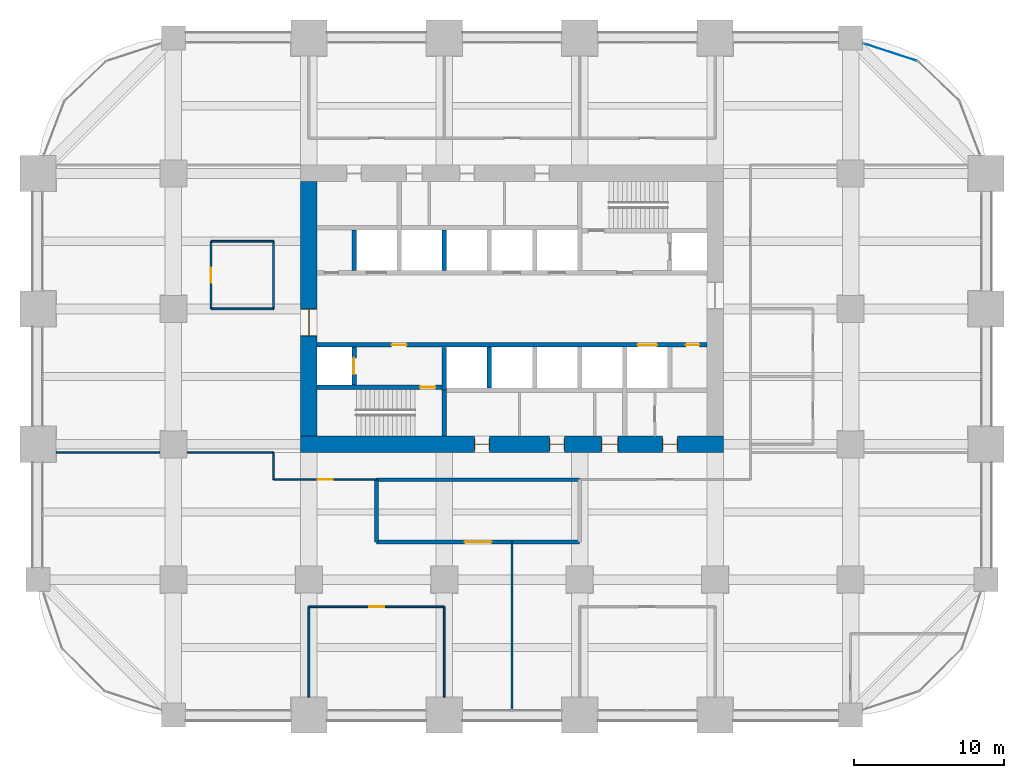
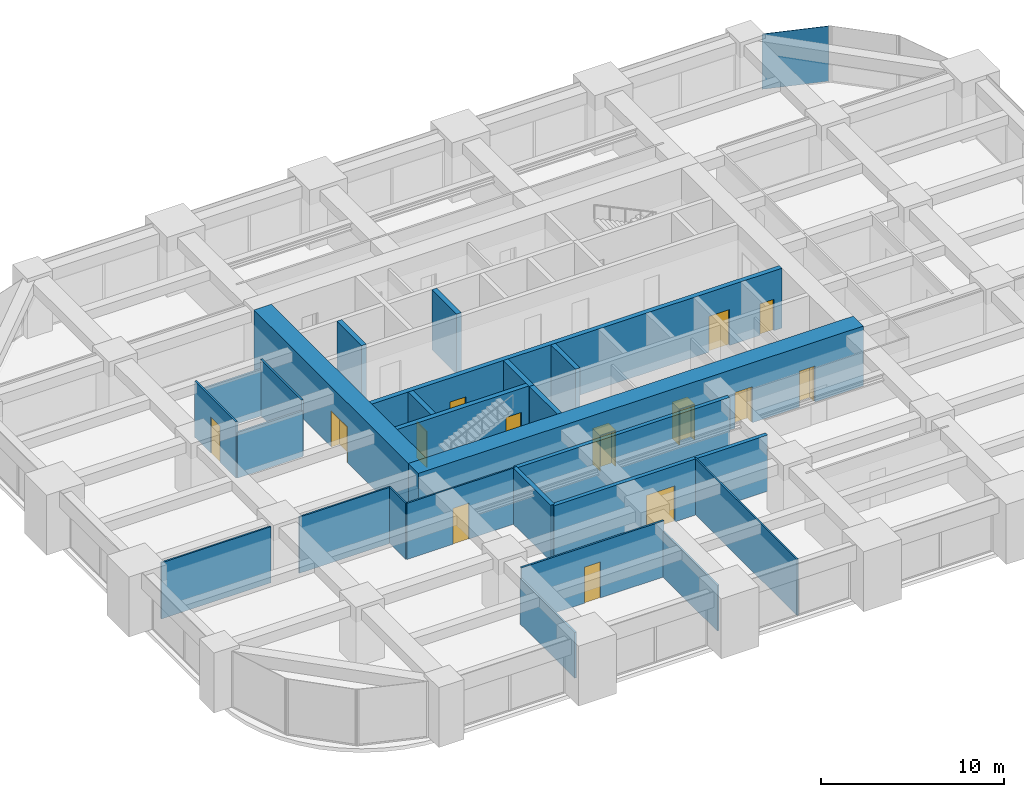
# One storey, part 36 of 39: 25 walls, 14 doors, 1 plate, 14 openings, 1 element without a shape of its own.
"""IFC4 building model written with IfcOpenShell, lengths in metres."""

import ifcopenshell
import ifcopenshell.guid

model = None  # the IFC model being written
_history = None  # IfcOwnerHistory: only IFC2X3 demands one
_inside = {}  # id of a spatial element -> (the spatial element, [elements in it])
_under = {}  # id of a project, library or spatial element -> (it, [spatial elements below it])
_declared = {}  # id of a project -> (the project, [libraries it declares])
_typed = {}  # id of a type object -> (the type object, [elements of that type])
_made_of = {}  # id of a material, layer set ... -> (it, [elements and type objects made of it])


def new_model(schema):
    """Start an empty IFC model of exactly this schema.

    Asked for "IFC4X3", IfcOpenShell would pick the latest addendum, in which some entities
    have other attributes; the version numbers below select the first issue.
    IFC2X3 requires an IfcOwnerHistory on every rooted entity: one is made here for all.
    """
    global model, _history
    if schema == "IFC4X3":
        model = ifcopenshell.file(schema_version=(4, 3, 0, 0))
    else:
        model = ifcopenshell.file(schema=schema)
    _inside.clear()
    _under.clear()
    _declared.clear()
    _typed.clear()
    _made_of.clear()
    _history = None
    if model.schema == "IFC2X3":
        org = make("IfcOrganization", Name="unknown")
        user = make(
            "IfcPersonAndOrganization",
            ThePerson=make("IfcPerson", FamilyName="unknown"),
            TheOrganization=org,
        )
        app = make(
            "IfcApplication",
            ApplicationDeveloper=org,
            Version="unknown",
            ApplicationFullName="unknown",
            ApplicationIdentifier="unknown",
        )
        _history = make(
            "IfcOwnerHistory",
            OwningUser=user,
            OwningApplication=app,
            ChangeAction="ADDED",
            CreationDate=0,
        )
    return model


def make(cls, **values):
    """One entity of the class cls with the attributes given. An attribute that is None is left unset."""
    return model.create_entity(
        cls, **{name: value for name, value in values.items() if value is not None}
    )


def rooted(cls, **values):
    """An entity with a GlobalId (a new one), such as an element, a storey or a relation."""
    return make(cls, GlobalId=ifcopenshell.guid.new(), OwnerHistory=_history, **values)


def si_unit(unit_type, name, prefix=None):
    """IfcSIUnit, for example si_unit("LENGTHUNIT", "METRE", prefix="MILLI")."""
    return make("IfcSIUnit", UnitType=unit_type, Prefix=prefix, Name=name)


def assignment(units):
    """IfcUnitAssignment: the units of a project."""
    return None if units is None else make("IfcUnitAssignment", Units=units)


def point(xyz):
    """IfcCartesianPoint."""
    return None if xyz is None else make("IfcCartesianPoint", Coordinates=xyz)


def direction(xyz):
    """IfcDirection."""
    return None if xyz is None else make("IfcDirection", DirectionRatios=xyz)


def frame(location, z_axis=None, x_axis=None):
    """IfcAxis2Placement3D, a coordinate frame: its origin and axes. An axis left out is left unset."""
    return make(
        "IfcAxis2Placement3D",
        Location=point(location),
        Axis=direction(z_axis),
        RefDirection=direction(x_axis),
    )


def frame_2d(location, x_axis=None):
    """IfcAxis2Placement2D, a coordinate frame in the plane: its origin and x axis."""
    return make(
        "IfcAxis2Placement2D", Location=point(location), RefDirection=direction(x_axis)
    )


def origin():
    """The frame at (0, 0, 0) with its axes left unset."""
    return frame((0.0, 0.0, 0.0))


def origin_2d():
    """The frame at (0, 0) in the plane with its x axis left unset."""
    return frame_2d((0.0, 0.0))


def place(relative_to, where):
    """IfcLocalPlacement: puts the frame where relative to a parent placement (None: the world)."""
    return make(
        "IfcLocalPlacement", PlacementRelTo=relative_to, RelativePlacement=where
    )


def context(
    kind, dimensions, precision=None, world=None, true_north=None, identifier=None
):
    """IfcGeometricRepresentationContext, for example the 3D "Model" context."""
    return make(
        "IfcGeometricRepresentationContext",
        ContextIdentifier=identifier,
        ContextType=kind,
        CoordinateSpaceDimension=dimensions,
        Precision=precision,
        WorldCoordinateSystem=world,
        TrueNorth=true_north,
    )


def subcontext(parent, identifier, kind, view, scale=None):
    """IfcGeometricRepresentationSubContext, for example "Body" below "Model"."""
    return make(
        "IfcGeometricRepresentationSubContext",
        ContextIdentifier=identifier,
        ContextType=kind,
        ParentContext=parent,
        TargetScale=scale,
        TargetView=view,
    )


def project(units=None, contexts=None):
    """IfcProject with its units and contexts."""
    return rooted(
        "IfcProject",
        Name="project",
        RepresentationContexts=contexts,
        UnitsInContext=assignment(units),
    )


def spatial(cls, under=None, at=None, **own):
    """A site, building, storey or space (cls), placed at a placement, below another one or the project."""
    s = rooted(cls, ObjectPlacement=at, **own)
    if under is not None:
        _under.setdefault(under.id(), (under, []))[1].append(s)
    return s


def profile(cls, at=None, kind="AREA", **sizes):
    """A parametric profile (cls). Its sizes go by their IFC names, for example OverallWidth=200.0."""
    return make(cls, ProfileType=kind, Position=at, **sizes)


def rectangle(**sizes):
    """IfcRectangleProfileDef."""
    return profile("IfcRectangleProfileDef", **sizes)


def extrude(swept, where, along, depth):
    """IfcExtrudedAreaSolid: the profile swept, set in the frame where, extruded along a direction by depth."""
    return make(
        "IfcExtrudedAreaSolid",
        SweptArea=swept,
        Position=where,
        ExtrudedDirection=direction(along),
        Depth=depth,
    )


def shape(context_of_items, identifier, shape_type, items):
    """IfcShapeRepresentation: the items that make up one representation, for example the "Body"."""
    return make(
        "IfcShapeRepresentation",
        ContextOfItems=context_of_items,
        RepresentationIdentifier=identifier,
        RepresentationType=shape_type,
        Items=items,
    )


def material(Name=None, Category=None):
    """IfcMaterial."""
    return make("IfcMaterial", Name=Name, Category=Category)


def layer(
    of_material, thickness, ventilated=None, Name=None, Category=None, Priority=None
):
    """IfcMaterialLayer: one layer of a wall or slab, of a material (None: an air gap)."""
    return make(
        "IfcMaterialLayer",
        Material=of_material,
        LayerThickness=thickness,
        IsVentilated=ventilated,
        Name=Name,
        Category=Category,
        Priority=Priority,
    )


def layer_set(layers, Name=None):
    """IfcMaterialLayerSet."""
    return make("IfcMaterialLayerSet", MaterialLayers=layers, LayerSetName=Name)


def made_of(thing, what):
    """Note that an element or type object is made of a material, layer set ...; save() writes the relation."""
    if what is not None:
        _made_of.setdefault(what.id(), (what, []))[1].append(thing)
    return thing


def type_object(cls, material=None, **own):
    """A type object (cls), such as IfcWallType, which elements share."""
    return made_of(rooted(cls, **own), material)


def element(
    cls,
    number,
    at=None,
    inside=None,
    cuts=None,
    type_object=None,
    material=None,
    context=None,
    identifier="Body",
    shape_type=None,
    held_by="IfcProductDefinitionShape",
    body=None,
    shapes=None,
    **own,
):
    """One element of the class cls, such as IfcWall. Its Tag is "e" and its number.

    at: its placement. inside: the storey or other place that contains it. cuts: it is an
    opening in that element (IfcRelVoidsElement). A single representation is given by context,
    identifier, shape_type and body (its items); several are given by shapes. held_by: the class
    of the entity that holds the representations. save() writes the other relations.
    """
    e = rooted(cls, Tag="e%d" % number, ObjectPlacement=at, **own)
    if body is not None:
        shapes = [shape(context, identifier, shape_type, body)]
    if shapes is not None:
        e.Representation = make(held_by, Representations=shapes)
    if inside is not None:
        _inside.setdefault(inside.id(), (inside, []))[1].append(e)
    if cuts is not None:
        rooted(
            "IfcRelVoidsElement", RelatingBuildingElement=cuts, RelatedOpeningElement=e
        )
    if type_object is not None:
        _typed.setdefault(type_object.id(), (type_object, []))[1].append(e)
    return made_of(e, material)


def fill(opening, filler):
    """IfcRelFillsElement: the door or window that sits in an opening."""
    return rooted(
        "IfcRelFillsElement",
        RelatingOpeningElement=opening,
        RelatedBuildingElement=filler,
    )


def aggregate(whole, parts):
    """IfcRelAggregates: a whole, such as a stair, and the parts it consists of."""
    return rooted("IfcRelAggregates", RelatingObject=whole, RelatedObjects=parts)


def save(model, path):
    """Write the relations noted so far, then the file.

    IfcRelAggregates (storeys below a building ...), IfcRelContainedInSpatialStructure (elements
    in a storey), IfcRelDefinesByType, IfcRelAssociatesMaterial and IfcRelDeclares: one each for
    every whole, place, type object, material and project.
    """
    for whole, parts in _under.values():
        aggregate(whole, parts)
    for where, things in _inside.values():
        rooted(
            "IfcRelContainedInSpatialStructure",
            RelatedElements=things,
            RelatingStructure=where,
        )
    for kind, things in _typed.values():
        rooted("IfcRelDefinesByType", RelatedObjects=things, RelatingType=kind)
    for what, things in _made_of.values():
        rooted("IfcRelAssociatesMaterial", RelatedObjects=things, RelatingMaterial=what)
    for by, libraries in _declared.values():
        rooted("IfcRelDeclares", RelatingContext=by, RelatedDefinitions=libraries)
    model.write(path)


model = new_model("IFC4")

# Units and contexts
model_context = context("Model", 3, precision=1e-05, world=origin(), true_north=direction((0.0, 1.0)))
body_context = subcontext(model_context, "Body", "Model", "MODEL_VIEW")
ifc_project = project(units=[si_unit("LENGTHUNIT", "METRE"), si_unit("AREAUNIT", "SQUARE_METRE"), si_unit("VOLUMEUNIT", "CUBIC_METRE"), si_unit("PLANEANGLEUNIT", "RADIAN"), si_unit("MASSUNIT", "GRAM", prefix="KILO")], contexts=[model_context])

# Site, building, storey
site_placement = place(None, origin())
site = spatial("IfcSite", under=ifc_project, at=site_placement, CompositionType="ELEMENT")
building_placement = place(site_placement, origin())
building = spatial("IfcBuilding", under=site, at=building_placement, Name="Zorevar Civic Tower", CompositionType="ELEMENT")
storey_placement = place(building_placement, frame((0.0, 0.0, 125.0)))
storey = spatial("IfcBuildingStorey", under=building, at=storey_placement, Name="L30", CompositionType="ELEMENT", Elevation=125.0)

# Curtain wall, plate
ifc_material_1 = material(Name="Dark grey solar-control glass in black aluminium frame", Category="aluminium")
curtain_wall_type = type_object("IfcCurtainWallType", Name="Curtain wall CW3 mid zone", PredefinedType="NOTDEFINED", material=ifc_material_1)
curtain_wall_placement = place(storey_placement, origin())
curtain_wall = element("IfcCurtainWall", 1, at=curtain_wall_placement, inside=storey, type_object=curtain_wall_type, Name="CW3 L30", PredefinedType="NOTDEFINED")
ifc_material_2 = material(Name="Dark grey solar-control glass", Category="glass")
ifc_layer_1 = layer(ifc_material_2, 0.030029296875)
ifc_layer_set_1 = layer_set([ifc_layer_1], Name="CW3 panel 30")
plate_type = type_object("IfcPlateType", Name="CW3 panel 30", PredefinedType="CURTAIN_PANEL", material=ifc_layer_set_1)
plate_placement = place(storey_placement, frame((56.63232421875, 44.065185546875, 0.06005859375), z_axis=(0.0, 0.0, 1.0), x_axis=(-0.950650706548, 0.310263169163, 0.0)))
plate = element("IfcPlate", 2, at=plate_placement, type_object=plate_type, Name="CW3 panel 1.1", PredefinedType="CURTAIN_PANEL", context=body_context, shape_type="SweptSolid", body=[
    extrude(rectangle(XDim=3.734619140625, YDim=0.030029296875, at=origin_2d()), origin(), (0.0, 0.0, 1.0), 3.68994140625),
])
aggregate(curtain_wall, [plate])

# Wall, opening, door
ifc_material_3 = material(Name="Twin-stud acoustic wall, gypsum board")
ifc_layer_2 = layer(ifc_material_3, 0.25)
ifc_layer_set_2 = layer_set([ifc_layer_2], Name="Acoustic wall 250")
wall_type_1 = type_object("IfcWallType", Name="Acoustic wall 250", PredefinedType="PARTITIONING", material=ifc_layer_set_2)
wall_1_placement = place(storey_placement, frame((22.5, 11.5, 0.0), z_axis=(0.0, 0.0, 1.0), x_axis=(1.0, 0.0, 0.0)))
wall_1 = element("IfcWall", 3, at=wall_1_placement, inside=storey, type_object=wall_type_1, Name="Acoustic wall 250 L30", PredefinedType="PARTITIONING", context=body_context, shape_type="SweptSolid", body=[
    extrude(rectangle(XDim=13.5, YDim=0.25, at=frame_2d((6.75, 0.0))), origin(), (0.0, 0.0, 1.0), 3.75),
])
opening_1_placement = place(wall_1_placement, frame((5.85009765625, 0.0, 0.0)))
opening_1 = element("IfcOpeningElement", 4, at=opening_1_placement, cuts=wall_1, Name="Opening L30.19", PredefinedType="OPENING", context=body_context, shape_type="SweptSolid", body=[
    extrude(rectangle(XDim=1.800048828125, YDim=2.39990234375, at=frame_2d((0.89990234375, 1.199951171875))), frame((0.0, 0.135009765625, 0.0), z_axis=(0.0, -1.0, 0.0), x_axis=(1.0, 0.0, 0.0)), (0.0, 0.0, 1.0), 0.27001953125),
])
ifc_material_4 = material(Name="Steel door set", Category="steel")
door_type_1 = type_object("IfcDoorType", Name="Door D2 1800x2400", OperationType="DOUBLE_DOOR_SINGLE_SWING", PredefinedType="DOOR", material=ifc_material_4)
door_1_placement = place(opening_1_placement, origin())
door_1 = element("IfcDoor", 5, at=door_1_placement, inside=storey, type_object=door_type_1, Name="Door L30 D1", OperationType="DOUBLE_DOOR_SINGLE_SWING", OverallHeight=2.39990234375, OverallWidth=1.800048828125, PredefinedType="DOOR", context=body_context, shape_type="SweptSolid", body=[
    extrude(rectangle(XDim=1.800048828125, YDim=2.39990234375, at=frame_2d((0.89990234375, 1.199951171875))), frame((0.0, 0.02490234375, 0.0), z_axis=(0.0, -1.0, 0.0), x_axis=(1.0, 0.0, 0.0)), (0.0, 0.0, 1.0), 0.050048828125),
])
fill(opening_1, door_1)

# Walls
wall_2_placement = place(storey_placement, frame((22.5, 15.64990234375, 0.0), z_axis=(0.0, 0.0, 1.0), x_axis=(1.0, 0.0, 0.0)))
element("IfcWall", 6, at=wall_2_placement, inside=storey, type_object=wall_type_1, Name="Acoustic wall 250 L30", PredefinedType="PARTITIONING", context=body_context, shape_type="SweptSolid", body=[
    extrude(rectangle(XDim=13.5, YDim=0.25, at=frame_2d((6.75, 0.0))), origin(), (0.0, 0.0, 1.0), 3.75),
])
wall_3_placement = place(storey_placement, frame((22.5, 11.5, 0.0), z_axis=(0.0, 0.0, 1.0), x_axis=(0.0, 1.0, 0.0)))
element("IfcWall", 7, at=wall_3_placement, inside=storey, type_object=wall_type_1, Name="Acoustic wall 250 L30", PredefinedType="PARTITIONING", context=body_context, shape_type="SweptSolid", body=[
    extrude(rectangle(XDim=4.14990234375, YDim=0.25, at=frame_2d((2.074951171875, 0.0))), origin(), (0.0, 0.0, 1.0), 3.75),
])

# Wall, openings, doors
ifc_material_5 = material(Name="Concrete C50/60", Category="concrete")
ifc_layer_3 = layer(ifc_material_5, 1.10009765625)
ifc_layer_set_3 = layer_set([ifc_layer_3], Name="Core wall 1100")
wall_type_2 = type_object("IfcWallType", Name="Core wall 1100", PredefinedType="SHEAR", material=ifc_layer_set_3)
wall_4_placement = place(storey_placement, frame((17.449951171875, 18.0, 0.0), z_axis=(0.0, 0.0, 1.0), x_axis=(1.0, 0.0, 0.0)))
wall_4 = element("IfcWall", 8, at=wall_4_placement, inside=storey, type_object=wall_type_2, Name="Core wall S L30", PredefinedType="SHEAR", context=body_context, shape_type="SweptSolid", body=[
    extrude(rectangle(XDim=28.10009765625, YDim=1.10009765625, at=frame_2d((14.050048828125, 0.0))), origin(), (0.0, 0.0, 1.0), 4.0),
])
opening_2_placement = place(wall_4_placement, frame((11.550048828125, 0.0, 0.0)))
opening_2 = element("IfcOpeningElement", 9, at=opening_2_placement, cuts=wall_4, Name="Opening L30.03", PredefinedType="OPENING", context=body_context, shape_type="SweptSolid", body=[
    extrude(rectangle(XDim=1.0, YDim=2.39990234375, at=frame_2d((0.5, 1.199951171875))), frame((0.0, 0.56005859375, 0.0), z_axis=(0.0, -1.0, 0.0), x_axis=(1.0, 0.0, 0.0)), (0.0, 0.0, 1.0), 1.1201171875),
])
opening_3_placement = place(wall_4_placement, frame((16.550048828125, 0.0, 0.0)))
opening_3 = element("IfcOpeningElement", 10, at=opening_3_placement, cuts=wall_4, Name="Opening L30.04", PredefinedType="OPENING", context=body_context, shape_type="SweptSolid", body=[
    extrude(rectangle(XDim=1.0, YDim=2.39990234375, at=frame_2d((0.5, 1.199951171875))), frame((0.0, 0.56005859375, 0.0), z_axis=(0.0, -1.0, 0.0), x_axis=(1.0, 0.0, 0.0)), (0.0, 0.0, 1.0), 1.1201171875),
])
opening_4_placement = place(wall_4_placement, frame((20.0, 0.0, 0.0)))
opening_4 = element("IfcOpeningElement", 11, at=opening_4_placement, cuts=wall_4, Name="Opening L30.05", PredefinedType="OPENING", context=body_context, shape_type="SweptSolid", body=[
    extrude(rectangle(XDim=1.10009765625, YDim=2.39990234375, at=frame_2d((0.550048828125, 1.199951171875))), frame((0.0, 0.56005859375, 0.0), z_axis=(0.0, -1.0, 0.0), x_axis=(1.0, 0.0, 0.0)), (0.0, 0.0, 1.0), 1.1201171875),
])
opening_5_placement = place(wall_4_placement, frame((24.050048828125, 0.0, 0.0)))
opening_5 = element("IfcOpeningElement", 12, at=opening_5_placement, cuts=wall_4, Name="Opening L30.06", PredefinedType="OPENING", context=body_context, shape_type="SweptSolid", body=[
    extrude(rectangle(XDim=1.0, YDim=2.39990234375, at=frame_2d((0.5, 1.199951171875))), frame((0.0, 0.56005859375, 0.0), z_axis=(0.0, -1.0, 0.0), x_axis=(1.0, 0.0, 0.0)), (0.0, 0.0, 1.0), 1.1201171875),
])
ifc_material_6 = material(Name="Timber door set", Category="wood")
door_type_2 = type_object("IfcDoorType", Name="Door D1 1000x2400", OperationType="SINGLE_SWING_LEFT", PredefinedType="DOOR", material=ifc_material_6)
door_2_placement = place(opening_2_placement, origin())
door_2 = element("IfcDoor", 13, at=door_2_placement, inside=storey, type_object=door_type_2, Name="Door L30 02", OperationType="SINGLE_SWING_RIGHT", OverallHeight=2.39990234375, OverallWidth=1.0, PredefinedType="DOOR", context=body_context, shape_type="SweptSolid", body=[
    extrude(rectangle(XDim=1.0, YDim=2.39990234375, at=frame_2d((0.5, 1.199951171875))), frame((0.0, 0.02490234375, 0.0), z_axis=(0.0, -1.0, 0.0), x_axis=(1.0, 0.0, 0.0)), (0.0, 0.0, 1.0), 0.050048828125),
    extrude(rectangle(XDim=0.04, YDim=2.39990234375, at=frame_2d((0.02001953125, 1.199951171875))), frame((0.0, 0.39990234375, 0.0), z_axis=(0.0, -1.0, 0.0), x_axis=(1.0, 0.0, 0.0)), (0.0, 0.0, 1.0), 0.800048828125),
    extrude(rectangle(XDim=0.04, YDim=2.39990234375, at=frame_2d((0.97998046875, 1.199951171875))), frame((0.0, 0.39990234375, 0.0), z_axis=(0.0, -1.0, 0.0), x_axis=(1.0, 0.0, 0.0)), (0.0, 0.0, 1.0), 0.800048828125),
    extrude(rectangle(XDim=1.0, YDim=0.04, at=frame_2d((0.5, 2.3798828125))), frame((0.0, 0.39990234375, 0.0), z_axis=(0.0, -1.0, 0.0), x_axis=(1.0, 0.0, 0.0)), (0.0, 0.0, 1.0), 0.800048828125),
])
fill(opening_2, door_2)
door_3_placement = place(opening_3_placement, origin())
door_3 = element("IfcDoor", 14, at=door_3_placement, inside=storey, type_object=door_type_2, Name="Door L30 03", OperationType="SINGLE_SWING_LEFT", OverallHeight=2.39990234375, OverallWidth=1.0, PredefinedType="DOOR", context=body_context, shape_type="SweptSolid", body=[
    extrude(rectangle(XDim=1.0, YDim=2.39990234375, at=frame_2d((0.5, 1.199951171875))), frame((0.0, 0.02490234375, 0.0), z_axis=(0.0, -1.0, 0.0), x_axis=(1.0, 0.0, 0.0)), (0.0, 0.0, 1.0), 0.050048828125),
    extrude(rectangle(XDim=0.04, YDim=2.39990234375, at=frame_2d((0.02001953125, 1.199951171875))), frame((0.0, 0.39990234375, 0.0), z_axis=(0.0, -1.0, 0.0), x_axis=(1.0, 0.0, 0.0)), (0.0, 0.0, 1.0), 0.800048828125),
    extrude(rectangle(XDim=0.04, YDim=2.39990234375, at=frame_2d((0.97998046875, 1.199951171875))), frame((0.0, 0.39990234375, 0.0), z_axis=(0.0, -1.0, 0.0), x_axis=(1.0, 0.0, 0.0)), (0.0, 0.0, 1.0), 0.800048828125),
    extrude(rectangle(XDim=1.0, YDim=0.04, at=frame_2d((0.5, 2.3798828125))), frame((0.0, 0.39990234375, 0.0), z_axis=(0.0, -1.0, 0.0), x_axis=(1.0, 0.0, 0.0)), (0.0, 0.0, 1.0), 0.800048828125),
])
fill(opening_3, door_3)
door_4_placement = place(opening_5_placement, origin())
door_4 = element("IfcDoor", 15, at=door_4_placement, inside=storey, type_object=door_type_2, Name="Door L30 05", OperationType="SINGLE_SWING_LEFT", OverallHeight=2.39990234375, OverallWidth=1.0, PredefinedType="DOOR", context=body_context, shape_type="SweptSolid", body=[
    extrude(rectangle(XDim=1.0, YDim=2.39990234375, at=frame_2d((0.5, 1.199951171875))), frame((0.0, 0.02490234375, 0.0), z_axis=(0.0, -1.0, 0.0), x_axis=(1.0, 0.0, 0.0)), (0.0, 0.0, 1.0), 0.050048828125),
    extrude(rectangle(XDim=0.04, YDim=2.39990234375, at=frame_2d((0.02001953125, 1.199951171875))), frame((0.0, 0.39990234375, 0.0), z_axis=(0.0, -1.0, 0.0), x_axis=(1.0, 0.0, 0.0)), (0.0, 0.0, 1.0), 0.800048828125),
    extrude(rectangle(XDim=0.04, YDim=2.39990234375, at=frame_2d((0.97998046875, 1.199951171875))), frame((0.0, 0.39990234375, 0.0), z_axis=(0.0, -1.0, 0.0), x_axis=(1.0, 0.0, 0.0)), (0.0, 0.0, 1.0), 0.800048828125),
    extrude(rectangle(XDim=1.0, YDim=0.04, at=frame_2d((0.5, 2.3798828125))), frame((0.0, 0.39990234375, 0.0), z_axis=(0.0, -1.0, 0.0), x_axis=(1.0, 0.0, 0.0)), (0.0, 0.0, 1.0), 0.800048828125),
])
fill(opening_5, door_4)
ifc_material_7 = material(Name="Timber door set", Category="wood")
door_type_3 = type_object("IfcDoorType", Name="Door D5 1100x2400", OperationType="SINGLE_SWING_LEFT", PredefinedType="DOOR", material=ifc_material_7)
door_5_placement = place(opening_4_placement, origin())
door_5 = element("IfcDoor", 16, at=door_5_placement, inside=storey, type_object=door_type_3, Name="Door L30 04", OperationType="SINGLE_SWING_LEFT", OverallHeight=2.39990234375, OverallWidth=1.10009765625, PredefinedType="DOOR", context=body_context, shape_type="SweptSolid", body=[
    extrude(rectangle(XDim=1.10009765625, YDim=2.39990234375, at=frame_2d((0.550048828125, 1.199951171875))), frame((0.0, 0.02490234375, 0.0), z_axis=(0.0, -1.0, 0.0), x_axis=(1.0, 0.0, 0.0)), (0.0, 0.0, 1.0), 0.050048828125),
    extrude(rectangle(XDim=0.04, YDim=2.39990234375, at=frame_2d((0.02001953125, 1.199951171875))), frame((0.0, 0.43994140625, 0.0), z_axis=(0.0, -1.0, 0.0), x_axis=(1.0, 0.0, 0.0)), (0.0, 0.0, 1.0), 0.880126953125),
    extrude(rectangle(XDim=0.04, YDim=2.39990234375, at=frame_2d((1.080078125, 1.199951171875))), frame((0.0, 0.43994140625, 0.0), z_axis=(0.0, -1.0, 0.0), x_axis=(1.0, 0.0, 0.0)), (0.0, 0.0, 1.0), 0.880126953125),
    extrude(rectangle(XDim=1.10009765625, YDim=0.04, at=frame_2d((0.550048828125, 2.3798828125))), frame((0.0, 0.43994140625, 0.0), z_axis=(0.0, -1.0, 0.0), x_axis=(1.0, 0.0, 0.0)), (0.0, 0.0, 1.0), 0.880126953125),
])
fill(opening_4, door_5)

# Wall, opening, door
wall_5_placement = place(storey_placement, frame((18.0, 35.449951171875, 0.0), z_axis=(0.0, 0.0, 1.0), x_axis=(0.0, -1.0, 0.0)))
wall_5 = element("IfcWall", 17, at=wall_5_placement, inside=storey, type_object=wall_type_2, Name="Core wall W L30", PredefinedType="SHEAR", context=body_context, shape_type="SweptSolid", body=[
    extrude(rectangle(XDim=16.89990234375, YDim=1.10009765625, at=frame_2d((8.449951171875, 0.0))), origin(), (0.0, 0.0, 1.0), 4.0),
])
opening_6_placement = place(wall_5_placement, frame((8.449951171875, 0.0, 0.0)))
opening_6 = element("IfcOpeningElement", 18, at=opening_6_placement, cuts=wall_5, Name="Opening L30.01", PredefinedType="OPENING", context=body_context, shape_type="SweptSolid", body=[
    extrude(rectangle(XDim=1.800048828125, YDim=2.39990234375, at=frame_2d((0.89990234375, 1.199951171875))), frame((0.0, 0.56005859375, 0.0), z_axis=(0.0, -1.0, 0.0), x_axis=(1.0, 0.0, 0.0)), (0.0, 0.0, 1.0), 1.1201171875),
])
ifc_material_8 = material(Name="Steel door set", Category="steel")
door_type_4 = type_object("IfcDoorType", Name="Fire door FD2 1800x2400", OperationType="DOUBLE_DOOR_DOUBLE_SWING", PredefinedType="DOOR", material=ifc_material_8)
door_6_placement = place(opening_6_placement, origin())
door_6 = element("IfcDoor", 19, at=door_6_placement, inside=storey, type_object=door_type_4, Name="Door L30 00", OperationType="DOUBLE_DOOR_DOUBLE_SWING", OverallHeight=2.39990234375, OverallWidth=1.800048828125, PredefinedType="DOOR", context=body_context, shape_type="SweptSolid", body=[
    extrude(rectangle(XDim=1.800048828125, YDim=2.39990234375, at=frame_2d((0.89990234375, 1.199951171875))), frame((0.0, 0.030029296875, 0.0), z_axis=(0.0, -1.0, 0.0), x_axis=(1.0, 0.0, 0.0)), (0.0, 0.0, 1.0), 0.06005859375),
    extrude(rectangle(XDim=0.04, YDim=2.39990234375, at=frame_2d((0.02001953125, 1.199951171875))), frame((0.0, 0.5498046875, 0.0), z_axis=(0.0, -1.0, 0.0), x_axis=(1.0, 0.0, 0.0)), (0.0, 0.0, 1.0), 1.099609375),
    extrude(rectangle(XDim=0.04, YDim=2.39990234375, at=frame_2d((1.780029296875, 1.199951171875))), frame((0.0, 0.5498046875, 0.0), z_axis=(0.0, -1.0, 0.0), x_axis=(1.0, 0.0, 0.0)), (0.0, 0.0, 1.0), 1.099609375),
    extrude(rectangle(XDim=1.800048828125, YDim=0.04, at=frame_2d((0.89990234375, 2.3798828125))), frame((0.0, 0.5498046875, 0.0), z_axis=(0.0, -1.0, 0.0), x_axis=(1.0, 0.0, 0.0)), (0.0, 0.0, 1.0), 1.099609375),
])
fill(opening_6, door_6)

ifc_material_9 = material(Name="Laminated glass in black aluminium frame", Category="aluminium")
ifc_layer_4 = layer(ifc_material_9, 0.10009765625)
ifc_layer_set_4 = layer_set([ifc_layer_4], Name="Glazed partition 100")
wall_type_3 = type_object("IfcWallType", Name="Glazed partition 100", PredefinedType="PARTITIONING", material=ifc_layer_set_4)
wall_6_placement = place(storey_placement, frame((15.64990234375, 15.64990234375, 0.0), z_axis=(0.0, 0.0, 1.0), x_axis=(1.0, 0.0, 0.0)))
wall_6 = element("IfcWall", 20, at=wall_6_placement, inside=storey, type_object=wall_type_3, Name="Glazed partition 100 L30", PredefinedType="PARTITIONING", context=body_context, shape_type="SweptSolid", body=[
    extrude(rectangle(XDim=6.85009765625, YDim=0.10009765625, at=frame_2d((3.425048828125, 0.0))), origin(), (0.0, 0.0, 1.0), 3.75),
])
opening_7_placement = place(wall_6_placement, frame((2.925048828125, 0.0, 0.0)))
opening_7 = element("IfcOpeningElement", 21, at=opening_7_placement, cuts=wall_6, Name="Opening L30.20", PredefinedType="OPENING", context=body_context, shape_type="SweptSolid", body=[
    extrude(rectangle(XDim=1.0, YDim=2.39990234375, at=frame_2d((0.5, 1.199951171875))), frame((0.0, 0.06005859375, 0.0), z_axis=(0.0, -1.0, 0.0), x_axis=(1.0, 0.0, 0.0)), (0.0, 0.0, 1.0), 0.1201171875),
])
ifc_material_10 = material(Name="Timber door set", Category="wood")
door_type_5 = type_object("IfcDoorType", Name="Glazed door GD1 1000x2400", OperationType="SINGLE_SWING_LEFT", PredefinedType="DOOR", material=ifc_material_10)
door_7_placement = place(opening_7_placement, origin())
door_7 = element("IfcDoor", 22, at=door_7_placement, inside=storey, type_object=door_type_5, Name="Door L30 D1", OperationType="SINGLE_SWING_RIGHT", OverallHeight=2.39990234375, OverallWidth=1.0, PredefinedType="DOOR", context=body_context, shape_type="SweptSolid", body=[
    extrude(rectangle(XDim=1.0, YDim=2.39990234375, at=frame_2d((0.5, 1.199951171875))), frame((0.0, 0.02001953125, 0.0), z_axis=(0.0, -1.0, 0.0), x_axis=(1.0, 0.0, 0.0)), (0.0, 0.0, 1.0), 0.0400390625),
])
fill(opening_7, door_7)

# Walls
wall_7_placement = place(storey_placement, frame((1.199951171875, 17.449951171875, 0.0), z_axis=(0.0, 0.0, 1.0), x_axis=(1.0, 0.0, 0.0)))
element("IfcWall", 23, at=wall_7_placement, inside=storey, type_object=wall_type_3, Name="Glazed partition 100 L30", PredefinedType="PARTITIONING", context=body_context, shape_type="SweptSolid", body=[
    extrude(rectangle(XDim=6.900146484375, YDim=0.10009765625, at=frame_2d((3.4501953125, 0.0))), origin(), (0.0, 0.0, 1.0), 3.75),
])
wall_8_placement = place(storey_placement, frame((9.89990234375, 17.449951171875, 0.0), z_axis=(0.0, 0.0, 1.0), x_axis=(1.0, 0.0, 0.0)))
element("IfcWall", 24, at=wall_8_placement, inside=storey, type_object=wall_type_3, Name="Glazed partition 100 L30", PredefinedType="PARTITIONING", context=body_context, shape_type="SweptSolid", body=[
    extrude(rectangle(XDim=5.75, YDim=0.10009765625, at=frame_2d((2.875, 0.0))), origin(), (0.0, 0.0, 1.0), 3.75),
])
wall_9_placement = place(storey_placement, frame((15.64990234375, 15.64990234375, 0.0), z_axis=(0.0, 0.0, 1.0), x_axis=(0.0, 1.0, 0.0)))
element("IfcWall", 25, at=wall_9_placement, inside=storey, type_object=wall_type_3, Name="Glazed partition 100 L30", PredefinedType="PARTITIONING", context=body_context, shape_type="SweptSolid", body=[
    extrude(rectangle(XDim=1.800048828125, YDim=0.10009765625, at=frame_2d((0.89990234375, 0.0))), origin(), (0.0, 0.0, 1.0), 3.75),
])
wall_10_placement = place(storey_placement, frame((31.5, 0.31005859375, 0.0), z_axis=(0.0, 0.0, 1.0), x_axis=(0.0, 1.0, 0.0)))
element("IfcWall", 26, at=wall_10_placement, inside=storey, type_object=wall_type_3, Name="Glazed partition 100 L30", PredefinedType="PARTITIONING", context=body_context, shape_type="SweptSolid", body=[
    extrude(rectangle(XDim=11.199951171875, YDim=0.10009765625, at=frame_2d((5.60009765625, 0.0))), origin(), (0.0, 0.0, 1.0), 3.75),
])

# Wall, opening, door
ifc_material_11 = material(Name="Concrete C40/50", Category="concrete")
ifc_layer_5 = layer(ifc_material_11, 0.300048828125)
ifc_layer_set_5 = layer_set([ifc_layer_5], Name="Inner core wall 300")
wall_type_4 = type_object("IfcWallType", Name="Inner core wall 300", PredefinedType="SHEAR", material=ifc_layer_set_5)
wall_11_placement = place(storey_placement, frame((18.550048828125, 21.800048828125, 0.0), z_axis=(0.0, 0.0, 1.0), x_axis=(1.0, 0.0, 0.0)))
wall_11 = element("IfcWall", 27, at=wall_11_placement, inside=storey, type_object=wall_type_4, Name="Inner core wall S00 L30", PredefinedType="SHEAR", context=body_context, shape_type="SweptSolid", body=[
    extrude(rectangle(XDim=8.300048828125, YDim=0.300048828125, at=frame_2d((4.14990234375, 0.0))), origin(), (0.0, 0.0, 1.0), 4.0),
])
opening_8_placement = place(wall_11_placement, frame((6.85009765625, 0.0, 0.0)))
opening_8 = element("IfcOpeningElement", 28, at=opening_8_placement, cuts=wall_11, Name="Opening L30.11", PredefinedType="OPENING", context=body_context, shape_type="SweptSolid", body=[
    extrude(rectangle(XDim=1.0, YDim=2.39990234375, at=frame_2d((0.5, 1.199951171875))), frame((0.0, 0.159912109375, 0.0), z_axis=(0.0, -1.0, 0.0), x_axis=(1.0, 0.0, 0.0)), (0.0, 0.0, 1.0), 0.320068359375),
])
ifc_material_12 = material(Name="Steel door set", Category="steel")
door_type_6 = type_object("IfcDoorType", Name="Fire door FD1 1000x2400", OperationType="SINGLE_SWING_LEFT", PredefinedType="DOOR", material=ifc_material_12)
door_8_placement = place(opening_8_placement, origin())
door_8 = element("IfcDoor", 29, at=door_8_placement, inside=storey, type_object=door_type_6, Name="Door L30 10", OperationType="SINGLE_SWING_RIGHT", OverallHeight=2.39990234375, OverallWidth=1.0, PredefinedType="DOOR", context=body_context, shape_type="SweptSolid", body=[
    extrude(rectangle(XDim=1.0, YDim=2.39990234375, at=frame_2d((0.5, 1.199951171875))), frame((0.0, 0.030029296875, 0.0), z_axis=(0.0, -1.0, 0.0), x_axis=(1.0, 0.0, 0.0)), (0.0, 0.0, 1.0), 0.06005859375),
])
fill(opening_8, door_8)

# Wall
wall_12_placement = place(storey_placement, frame((27.0, 18.550048828125, 0.0), z_axis=(0.0, 0.0, 1.0), x_axis=(0.0, 1.0, 0.0)))
element("IfcWall", 30, at=wall_12_placement, inside=storey, type_object=wall_type_4, Name="Inner core wall S01 L30", PredefinedType="SHEAR", context=body_context, shape_type="SweptSolid", body=[
    extrude(rectangle(XDim=3.050048828125, YDim=0.300048828125, at=frame_2d((1.52490234375, 0.0))), origin(), (0.0, 0.0, 1.0), 4.0),
])

# Wall, opening, door
wall_13_placement = place(storey_placement, frame((21.0, 21.949951171875, 0.0), z_axis=(0.0, 0.0, 1.0), x_axis=(0.0, 1.0, 0.0)))
wall_13 = element("IfcWall", 31, at=wall_13_placement, inside=storey, type_object=wall_type_4, Name="Inner core wall S02 L30", PredefinedType="SHEAR", context=body_context, shape_type="SweptSolid", body=[
    extrude(rectangle(XDim=2.5, YDim=0.300048828125, at=frame_2d((1.25, 0.0))), origin(), (0.0, 0.0, 1.0), 4.0),
])
opening_9_placement = place(wall_13_placement, frame((0.699951171875, 0.0, 0.0)))
opening_9 = element("IfcOpeningElement", 32, at=opening_9_placement, cuts=wall_13, Name="Opening L30.FL1", PredefinedType="OPENING", context=body_context, shape_type="SweptSolid", body=[
    extrude(rectangle(XDim=1.10009765625, YDim=2.39990234375, at=frame_2d((0.550048828125, 1.199951171875))), frame((0.0, 0.159912109375, 0.0), z_axis=(0.0, -1.0, 0.0), x_axis=(1.0, 0.0, 0.0)), (0.0, 0.0, 1.0), 0.320068359375),
])
ifc_material_13 = material(Name="Steel door set", Category="steel")
door_type_7 = type_object("IfcDoorType", Name="Firefighting lift landing door LD3 1100x2400", OperationType="DOUBLE_DOOR_SLIDING", PredefinedType="DOOR", material=ifc_material_13)
door_9_placement = place(opening_9_placement, origin())
door_9 = element("IfcDoor", 33, at=door_9_placement, inside=storey, type_object=door_type_7, Name="Landing door FL1 L30", OperationType="DOUBLE_DOOR_SLIDING", OverallHeight=2.39990234375, OverallWidth=1.10009765625, PredefinedType="DOOR", context=body_context, shape_type="SweptSolid", body=[
    extrude(rectangle(XDim=1.10009765625, YDim=2.39990234375, at=frame_2d((0.550048828125, 1.199951171875))), frame((0.0, 0.030029296875, 0.0), z_axis=(0.0, -1.0, 0.0), x_axis=(1.0, 0.0, 0.0)), (0.0, 0.0, 1.0), 0.06005859375),
])
fill(opening_9, door_9)

# Wall, openings, doors
wall_14_placement = place(storey_placement, frame((18.550048828125, 24.60009765625, 0.0), z_axis=(0.0, 0.0, 1.0), x_axis=(1.0, 0.0, 0.0)))
wall_14 = element("IfcWall", 34, at=wall_14_placement, inside=storey, type_object=wall_type_4, Name="Inner core wall S03 L30", PredefinedType="SHEAR", context=body_context, shape_type="SweptSolid", body=[
    extrude(rectangle(XDim=25.89990234375, YDim=0.300048828125, at=frame_2d((12.949951171875, 0.0))), origin(), (0.0, 0.0, 1.0), 4.0),
])
opening_10_placement = place(wall_14_placement, frame((4.949951171875, 0.0, 0.0)))
opening_10 = element("IfcOpeningElement", 35, at=opening_10_placement, cuts=wall_14, Name="Opening L30.13", PredefinedType="OPENING", context=body_context, shape_type="SweptSolid", body=[
    extrude(rectangle(XDim=1.0, YDim=2.39990234375, at=frame_2d((0.5, 1.199951171875))), frame((0.0, 0.159912109375, 0.0), z_axis=(0.0, -1.0, 0.0), x_axis=(1.0, 0.0, 0.0)), (0.0, 0.0, 1.0), 0.320068359375),
])
opening_11_placement = place(wall_14_placement, frame((24.5, 0.0, 0.0)))
opening_11 = element("IfcOpeningElement", 36, at=opening_11_placement, cuts=wall_14, Name="Opening L30.15", PredefinedType="OPENING", context=body_context, shape_type="SweptSolid", body=[
    extrude(rectangle(XDim=0.89990234375, YDim=2.10009765625, at=frame_2d((0.449951171875, 1.050048828125))), frame((0.0, 0.159912109375, 0.0), z_axis=(0.0, -1.0, 0.0), x_axis=(1.0, 0.0, 0.0)), (0.0, 0.0, 1.0), 0.320068359375),
])
opening_12_placement = place(wall_14_placement, frame((21.300048828125, 0.0, 0.0)))
opening_12 = element("IfcOpeningElement", 37, at=opening_12_placement, cuts=wall_14, Name="Opening L30.SL1", PredefinedType="OPENING", context=body_context, shape_type="SweptSolid", body=[
    extrude(rectangle(XDim=1.300048828125, YDim=2.39990234375, at=frame_2d((0.64990234375, 1.199951171875))), frame((0.0, 0.159912109375, 0.0), z_axis=(0.0, -1.0, 0.0), x_axis=(1.0, 0.0, 0.0)), (0.0, 0.0, 1.0), 0.320068359375),
])
door_10_placement = place(opening_10_placement, origin())
door_10 = element("IfcDoor", 38, at=door_10_placement, inside=storey, type_object=door_type_6, Name="Door L30 12", OperationType="SINGLE_SWING_RIGHT", OverallHeight=2.39990234375, OverallWidth=1.0, PredefinedType="DOOR", context=body_context, shape_type="SweptSolid", body=[
    extrude(rectangle(XDim=1.0, YDim=2.39990234375, at=frame_2d((0.5, 1.199951171875))), frame((0.0, 0.030029296875, 0.0), z_axis=(0.0, -1.0, 0.0), x_axis=(1.0, 0.0, 0.0)), (0.0, 0.0, 1.0), 0.06005859375),
])
fill(opening_10, door_10)
ifc_material_14 = material(Name="Steel door set", Category="steel")
door_type_8 = type_object("IfcDoorType", Name="Landing door LD2 1300x2400", OperationType="DOUBLE_DOOR_SLIDING", PredefinedType="DOOR", material=ifc_material_14)
door_11_placement = place(opening_12_placement, origin())
door_11 = element("IfcDoor", 39, at=door_11_placement, inside=storey, type_object=door_type_8, Name="Landing door SL1 L30", OperationType="DOUBLE_DOOR_SLIDING", OverallHeight=2.39990234375, OverallWidth=1.300048828125, PredefinedType="DOOR", context=body_context, shape_type="SweptSolid", body=[
    extrude(rectangle(XDim=1.300048828125, YDim=2.39990234375, at=frame_2d((0.64990234375, 1.199951171875))), frame((0.0, 0.02001953125, 0.0), z_axis=(0.0, -1.0, 0.0), x_axis=(1.0, 0.0, 0.0)), (0.0, 0.0, 1.0), 0.0400390625),
])
fill(opening_12, door_11)
ifc_material_15 = material(Name="Steel door set", Category="steel")
door_type_9 = type_object("IfcDoorType", Name="Riser door RD1 900x2100", OperationType="SINGLE_SWING_LEFT", PredefinedType="DOOR", material=ifc_material_15)
door_12_placement = place(opening_11_placement, origin())
door_12 = element("IfcDoor", 40, at=door_12_placement, inside=storey, type_object=door_type_9, Name="Door L30 14", OperationType="SINGLE_SWING_RIGHT", OverallHeight=2.10009765625, OverallWidth=0.89990234375, PredefinedType="DOOR", context=body_context, shape_type="SweptSolid", body=[
    extrude(rectangle(XDim=0.89990234375, YDim=2.10009765625, at=frame_2d((0.449951171875, 1.050048828125))), frame((0.0, 0.030029296875, 0.0), z_axis=(0.0, -1.0, 0.0), x_axis=(1.0, 0.0, 0.0)), (0.0, 0.0, 1.0), 0.06005859375),
])
fill(opening_11, door_12)

# Walls
for number, where, z_axis, x_axis, name in (
    (41, (30.0, 21.75, 0.0), (0.0, 0.0, 1.0), (0.0, 1.0, 0.0), "Inner core wall S05 L30"),
    (42, (27.0, 29.550048828125, 0.0), (0.0, 0.0, 1.0), (0.0, 1.0, 0.0), "Inner core wall N07 L30"),
    (43, (21.0, 29.550048828125, 0.0), (0.0, 0.0, 1.0), (0.0, 1.0, 0.0), "Inner core wall N09 L30"),
):
    element("IfcWall", number, at=place(storey_placement, frame(where, z_axis=z_axis, x_axis=x_axis)), inside=storey, type_object=wall_type_4, Name=name, PredefinedType="SHEAR", context=body_context, shape_type="SweptSolid", body=[
        extrude(rectangle(XDim=2.699951171875, YDim=0.300048828125, at=frame_2d((1.35009765625, 0.0))), origin(), (0.0, 0.0, 1.0), 4.0),
    ])
wall_15_placement = place(storey_placement, frame((27.0, 21.60009765625, 0.0), z_axis=(0.0, 0.0, 1.0), x_axis=(0.0, 1.0, 0.0)))
element("IfcWall", 44, at=wall_15_placement, inside=storey, type_object=wall_type_4, Name="Inner core wall S10 L30", PredefinedType="SHEAR", context=body_context, shape_type="SweptSolid", body=[
    extrude(rectangle(XDim=2.849853515625, YDim=0.300048828125, at=frame_2d((1.4248046875, 0.0))), origin(), (0.0, 0.0, 1.0), 4.0),
])

# Wall, opening, door
ifc_material_16 = material(Name="Gypsum board on steel studs", Category="steel")
ifc_layer_6 = layer(ifc_material_16, 0.1201171875)
ifc_layer_set_6 = layer_set([ifc_layer_6], Name="Partition 120")
wall_type_5 = type_object("IfcWallType", Name="Partition 120", PredefinedType="PARTITIONING", material=ifc_layer_set_6)
wall_16_placement = place(storey_placement, frame((18.0, 7.199951171875, 0.0), z_axis=(0.0, 0.0, 1.0), x_axis=(1.0, 0.0, 0.0)))
wall_16 = element("IfcWall", 45, at=wall_16_placement, inside=storey, type_object=wall_type_5, Name="Partition 120 L30", PredefinedType="PARTITIONING", context=body_context, shape_type="SweptSolid", body=[
    extrude(rectangle(XDim=9.0, YDim=0.1201171875, at=frame_2d((4.5, 0.0))), origin(), (0.0, 0.0, 1.0), 3.75),
])
opening_13_placement = place(wall_16_placement, frame((4.0, 0.0, 0.0)))
opening_13 = element("IfcOpeningElement", 46, at=opening_13_placement, cuts=wall_16, Name="Opening L30.17", PredefinedType="OPENING", context=body_context, shape_type="SweptSolid", body=[
    extrude(rectangle(XDim=1.0, YDim=2.39990234375, at=frame_2d((0.5, 1.199951171875))), frame((0.0, 0.070068359375, 0.0), z_axis=(0.0, -1.0, 0.0), x_axis=(1.0, 0.0, 0.0)), (0.0, 0.0, 1.0), 0.14013671875),
])
door_13_placement = place(opening_13_placement, origin())
door_13 = element("IfcDoor", 47, at=door_13_placement, inside=storey, type_object=door_type_2, Name="Door L30 D1", OperationType="SINGLE_SWING_LEFT", OverallHeight=2.39990234375, OverallWidth=1.0, PredefinedType="DOOR", context=body_context, shape_type="SweptSolid", body=[
    extrude(rectangle(XDim=1.0, YDim=2.39990234375, at=frame_2d((0.5, 1.199951171875))), frame((0.0, 0.02490234375, 0.0), z_axis=(0.0, -1.0, 0.0), x_axis=(1.0, 0.0, 0.0)), (0.0, 0.0, 1.0), 0.050048828125),
])
fill(opening_13, door_13)

# Walls
wall_17_placement = place(storey_placement, frame((11.5, 27.0, 0.0), z_axis=(0.0, 0.0, 1.0), x_axis=(1.0, 0.0, 0.0)))
element("IfcWall", 48, at=wall_17_placement, inside=storey, type_object=wall_type_5, Name="Partition 120 L30", PredefinedType="PARTITIONING", context=body_context, shape_type="SweptSolid", body=[
    extrude(rectangle(XDim=4.14990234375, YDim=0.1201171875, at=frame_2d((2.074951171875, 0.0))), origin(), (0.0, 0.0, 1.0), 3.050048828125),
])
wall_18_placement = place(storey_placement, frame((11.5, 31.5, 0.0), z_axis=(0.0, 0.0, 1.0), x_axis=(1.0, 0.0, 0.0)))
element("IfcWall", 49, at=wall_18_placement, inside=storey, type_object=wall_type_5, Name="Partition 120 L30", PredefinedType="PARTITIONING", context=body_context, shape_type="SweptSolid", body=[
    extrude(rectangle(XDim=4.14990234375, YDim=0.1201171875, at=frame_2d((2.074951171875, 0.0))), origin(), (0.0, 0.0, 1.0), 3.10009765625),
])

# Wall, opening, door
wall_19_placement = place(storey_placement, frame((11.5, 27.0, 0.0), z_axis=(0.0, 0.0, 1.0), x_axis=(0.0, 1.0, 0.0)))
wall_19 = element("IfcWall", 50, at=wall_19_placement, inside=storey, type_object=wall_type_5, Name="Partition 120 L30", PredefinedType="PARTITIONING", context=body_context, shape_type="SweptSolid", body=[
    extrude(rectangle(XDim=4.5, YDim=0.1201171875, at=frame_2d((2.25, 0.0))), origin(), (0.0, 0.0, 1.0), 3.75),
])
opening_14_placement = place(wall_19_placement, frame((1.75, 0.0, 0.0)))
opening_14 = element("IfcOpeningElement", 51, at=opening_14_placement, cuts=wall_19, Name="Opening L30.25", PredefinedType="OPENING", context=body_context, shape_type="SweptSolid", body=[
    extrude(rectangle(XDim=1.0, YDim=2.39990234375, at=frame_2d((0.5, 1.199951171875))), frame((0.0, 0.070068359375, 0.0), z_axis=(0.0, -1.0, 0.0), x_axis=(1.0, 0.0, 0.0)), (0.0, 0.0, 1.0), 0.14013671875),
])
door_14_placement = place(opening_14_placement, origin())
door_14 = element("IfcDoor", 52, at=door_14_placement, inside=storey, type_object=door_type_2, Name="Door L30 D1", OperationType="SINGLE_SWING_LEFT", OverallHeight=2.39990234375, OverallWidth=1.0, PredefinedType="DOOR", context=body_context, shape_type="SweptSolid", body=[
    extrude(rectangle(XDim=1.0, YDim=2.39990234375, at=frame_2d((0.5, 1.199951171875))), frame((0.0, 0.02490234375, 0.0), z_axis=(0.0, -1.0, 0.0), x_axis=(1.0, 0.0, 0.0)), (0.0, 0.0, 1.0), 0.050048828125),
])
fill(opening_14, door_14)

# Walls
wall_20_placement = place(storey_placement, frame((15.64990234375, 27.0, 0.0), z_axis=(0.0, 0.0, 1.0), x_axis=(0.0, 1.0, 0.0)))
element("IfcWall", 53, at=wall_20_placement, inside=storey, type_object=wall_type_5, Name="Partition 120 L30", PredefinedType="PARTITIONING", context=body_context, shape_type="SweptSolid", body=[
    extrude(rectangle(XDim=4.5, YDim=0.1201171875, at=frame_2d((2.25, 0.0))), origin(), (0.0, 0.0, 1.0), 3.75),
])
for number, where, z_axis, x_axis, name in (
    (54, (18.0, 1.199951171875, 0.0), (0.0, 0.0, 1.0), (0.0, 1.0, 0.0), "Partition 120 L30"),
    (55, (27.0, 1.199951171875, 0.0), (0.0, 0.0, 1.0), (0.0, 1.0, 0.0), "Partition 120 L30"),
):
    element("IfcWall", number, at=place(storey_placement, frame(where, z_axis=z_axis, x_axis=x_axis)), inside=storey, type_object=wall_type_5, Name=name, PredefinedType="PARTITIONING", context=body_context, shape_type="SweptSolid", body=[
        extrude(rectangle(XDim=6.0, YDim=0.1201171875, at=frame_2d((3.0, 0.0))), origin(), (0.0, 0.0, 1.0), 3.050048828125),
    ])

save(model, "model.ifc")
